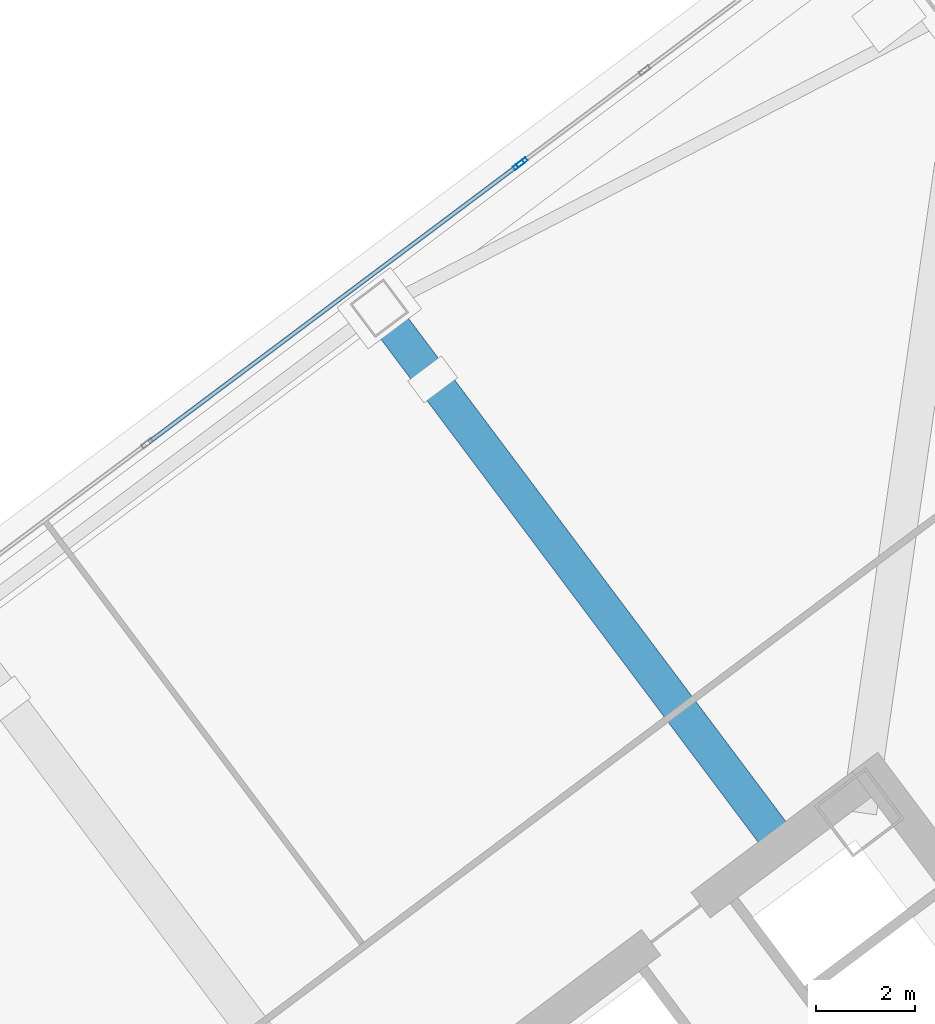
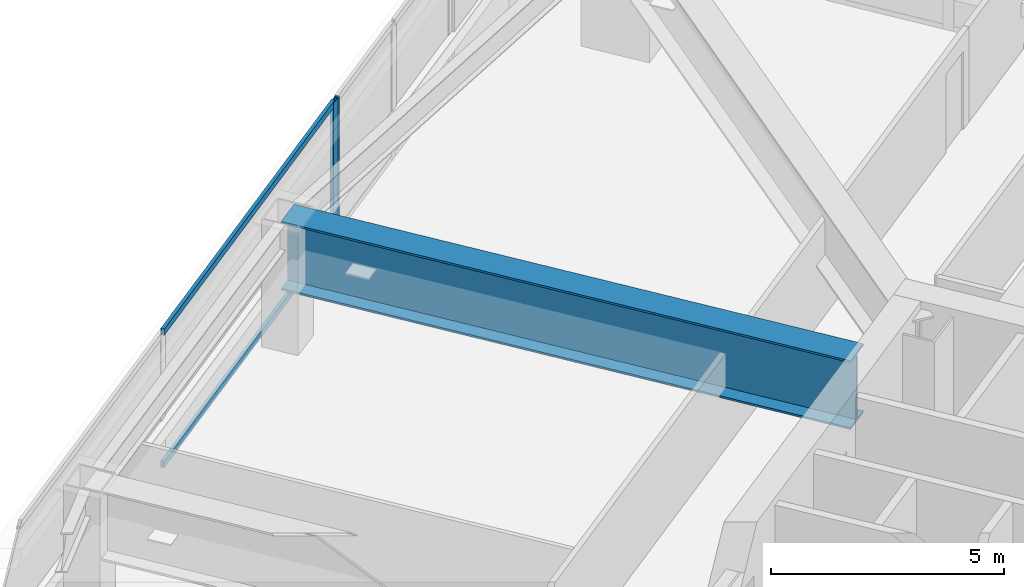
# One storey, part 31 of 48: 4 members, 1 beam, 2 elements without a shape of their own.
"""IFC4 building model written with IfcOpenShell, lengths in metres."""

from ifc_helpers import new_model, si_unit, direction, frame, origin, origin_2d, place, context, subcontext, project, spatial, hollow_rectangle, i_section, extrude, material, material_profile, profile_set, type_object, element, aggregate, save


model = new_model("IFC4")

# Units and contexts
model_context = context("Model", 3, precision=1e-05, world=origin(), true_north=direction((0.0, 1.0)))
body_context = subcontext(model_context, "Body", "Model", "MODEL_VIEW")
ifc_project = project(units=[si_unit("LENGTHUNIT", "METRE"), si_unit("AREAUNIT", "SQUARE_METRE"), si_unit("VOLUMEUNIT", "CUBIC_METRE"), si_unit("PLANEANGLEUNIT", "RADIAN"), si_unit("MASSUNIT", "GRAM", prefix="KILO")], contexts=[model_context])

# Site, building, storey
site_placement = place(None, origin())
site = spatial("IfcSite", under=ifc_project, at=site_placement, CompositionType="ELEMENT")
building_placement = place(site_placement, origin())
building = spatial("IfcBuilding", under=site, at=building_placement, Name="Tashvorn Skyway Center", CompositionType="ELEMENT")
storey_placement = place(building_placement, frame((0.0, 0.0, 63.64990234375)))
storey = spatial("IfcBuildingStorey", under=building, at=storey_placement, Name="L16", CompositionType="ELEMENT", Elevation=63.64990234375)

# Beam
ifc_material_1 = material(Name="Steel ASTM A572 Grade 50", Category="steel")
ifc_material_profile_1 = material_profile(ifc_material_1, i_section(OverallWidth=0.699951171875, OverallDepth=1.800048828125, WebThickness=0.031982421875, FlangeThickness=0.050048828125, at=origin_2d()), Name="PG1800x700")
ifc_profile_set_1 = profile_set([ifc_material_profile_1], Name="Steel ASTM A572 Grade 50")
beam_type = type_object("IfcBeamType", Name="BM-BEAM-PG1800x700", PredefinedType="BEAM", material=ifc_profile_set_1)
beam_placement = place(storey_placement, frame((105.68994140625, 52.080078125, 2.4501953125), z_axis=(0.600008830928, -0.799993376728, 0.0), x_axis=(0.799993376728, 0.600008830928, 0.0)))
element("IfcBeam", 1, at=beam_placement, inside=storey, type_object=beam_type, Name="Tower 2 L16 Setback Transfer Girder FC-N1", PredefinedType="BEAM", context=body_context, shape_type="SweptSolid", body=[
    extrude(i_section(OverallWidth=0.699951171875, OverallDepth=1.800048828125, WebThickness=0.031982421875, FlangeThickness=0.050048828125, at=origin_2d()), origin(), (0.0, 0.0, 1.0), 13.27001953125),
])

# Curtain wall, member
ifc_material_2 = material(Name="Thermally broken bronze-anodized aluminium 6063-T6", Category="aluminium")
curtain_wall_type = type_object("IfcCurtainWallType", Name="CW-CW-Z1", PredefinedType="NOTDEFINED", material=ifc_material_2)
curtain_wall_1_placement = place(storey_placement, origin())
curtain_wall_1 = element("IfcCurtainWall", 2, at=curtain_wall_1_placement, inside=storey, type_object=curtain_wall_type, Name="Tower 2 L16 North Unitised Curtain Wall Glazing Group 2", PredefinedType="NOTDEFINED")
ifc_material_profile_2 = material_profile(ifc_material_2, hollow_rectangle(XDim=0.0849609375, YDim=0.239990234375, WallThickness=0.0048828125, at=origin_2d()), Name="ALU-MULL-85x240")
ifc_profile_set_2 = profile_set([ifc_material_profile_2], Name="Thermally broken bronze-anodized aluminium 6063-T6")
member_type_1 = type_object("IfcMemberType", Name="CWM-CW-Z1", PredefinedType="MULLION", material=ifc_profile_set_2)
member_1_placement = place(storey_placement, frame((108.510009765625, 54.982421875, 0.0), z_axis=(0.0, 0.0, 1.0), x_axis=(-0.600000000002, 0.799999999998, 0.0)))
member_1 = element("IfcMember", 3, at=member_1_placement, type_object=member_type_1, Name="CW-Z1 mullion 3", PredefinedType="MULLION", context=body_context, shape_type="SweptSolid", body=[
    extrude(hollow_rectangle(XDim=0.0849609375, YDim=0.239990234375, WallThickness=0.0048828125, at=origin_2d()), origin(), (0.0, 0.0, 1.0), 3.550048828125),
])

curtain_wall_2_placement = place(storey_placement, origin())
curtain_wall_2 = element("IfcCurtainWall", 4, at=curtain_wall_2_placement, inside=storey, type_object=curtain_wall_type, Name="Tower 2 L16 North Unitised Curtain Wall Glazing Group 3", PredefinedType="NOTDEFINED")
member_2_placement = place(storey_placement, frame((108.577880859375, 55.033447265625, 0.0), z_axis=(0.0, 0.0, 1.0), x_axis=(-0.599997457641, 0.800001906763, 0.0)))
member_2 = element("IfcMember", 5, at=member_2_placement, type_object=member_type_1, Name="CW-Z1 mullion 1", PredefinedType="MULLION", context=body_context, shape_type="SweptSolid", body=[
    extrude(hollow_rectangle(XDim=0.0849609375, YDim=0.239990234375, WallThickness=0.0048828125, at=origin_2d()), origin(), (0.0, 0.0, 1.0), 3.550048828125),
])
aggregate(curtain_wall_2, [member_2])

# Member
ifc_material_profile_3 = material_profile(ifc_material_2, hollow_rectangle(XDim=0.0849609375, YDim=0.1650390625, WallThickness=0.0048828125, at=origin_2d()), Name="ALU-TRAN-85x165")
ifc_profile_set_3 = profile_set([ifc_material_profile_3], Name="Thermally broken bronze-anodized aluminium 6063-T6")
member_type_2 = type_object("IfcMemberType", Name="CWT-CW-Z1", PredefinedType="USERDEFINED", material=ifc_profile_set_3)
member_3_placement = place(storey_placement, frame((101.02587890625, 49.369384765625, 0.04248046875), z_axis=(0.8, 0.6, 0.0), x_axis=(-0.6, 0.8, 0.0)))
member_3 = element("IfcMember", 6, at=member_3_placement, type_object=member_type_2, Name="CW-Z1 transom 2.1", ObjectType="TRANSOM", PredefinedType="USERDEFINED", context=body_context, shape_type="SweptSolid", body=[
    extrude(hollow_rectangle(XDim=0.0849609375, YDim=0.1650390625, WallThickness=0.0048828125, at=origin_2d()), origin(), (0.0, 0.0, 1.0), 9.312744140625),
])

member_4_placement = place(storey_placement, frame((101.02587890625, 49.369384765625, 3.507568359375), z_axis=(0.8, 0.6, 0.0), x_axis=(-0.6, 0.8, 0.0)))
member_4 = element("IfcMember", 7, at=member_4_placement, type_object=member_type_2, Name="CW-Z1 transom 2.2", ObjectType="TRANSOM", PredefinedType="USERDEFINED", context=body_context, shape_type="SweptSolid", body=[
    extrude(hollow_rectangle(XDim=0.0849609375, YDim=0.1650390625, WallThickness=0.0048828125, at=origin_2d()), origin(), (0.0, 0.0, 1.0), 9.312744140625),
])

aggregate(curtain_wall_1, [member_1, member_3, member_4])

save(model, "model.ifc")
